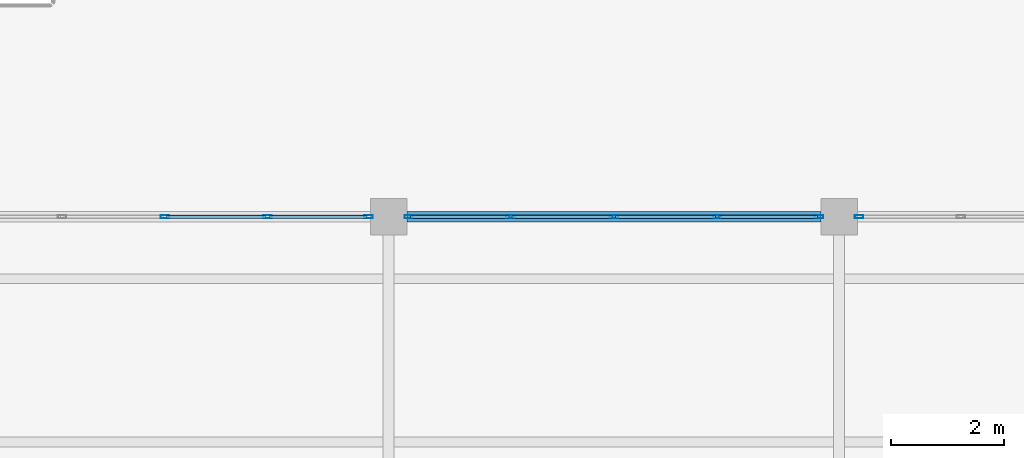
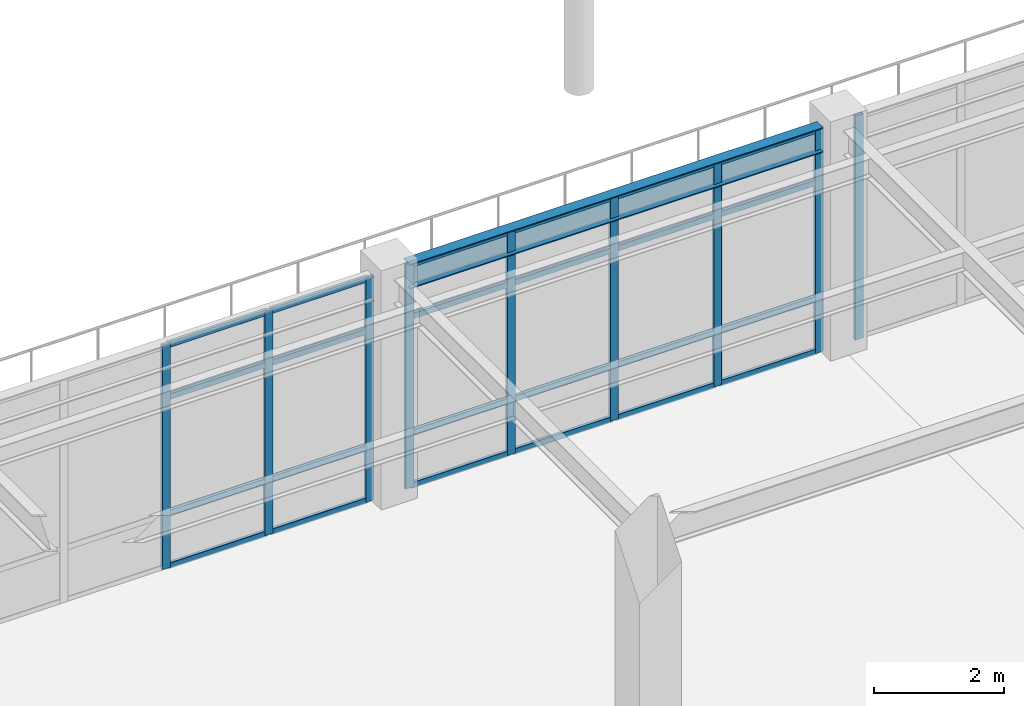
# One storey, part 23 of 78: 33 members, 1 beam, 3 elements without a shape of their own.
"""IFC4 building model written with IfcOpenShell, lengths in metres."""

from ifc_helpers import new_model, si_unit, direction, frame, origin, origin_2d, place, context, subcontext, project, spatial, hollow_rectangle, i_section, extrude, material, material_profile, profile_set, type_object, element, aggregate, save


model = new_model("IFC4")

# Units and contexts
model_context = context("Model", 3, precision=1e-05, world=origin(), true_north=direction((0.0, 1.0)))
body_context = subcontext(model_context, "Body", "Model", "MODEL_VIEW")
ifc_project = project(units=[si_unit("LENGTHUNIT", "METRE"), si_unit("AREAUNIT", "SQUARE_METRE"), si_unit("VOLUMEUNIT", "CUBIC_METRE"), si_unit("PLANEANGLEUNIT", "RADIAN"), si_unit("MASSUNIT", "GRAM", prefix="KILO")], contexts=[model_context])

# Site, building, storey
site_placement = place(None, origin())
site = spatial("IfcSite", under=ifc_project, at=site_placement, CompositionType="ELEMENT")
building_placement = place(site_placement, origin())
building = spatial("IfcBuilding", under=site, at=building_placement, Name="Solmirada Galleria", CompositionType="ELEMENT")
storey_placement = place(building_placement, frame((0.0, 0.0, 23.89990234375)))
storey = spatial("IfcBuildingStorey", under=building, at=storey_placement, Name="L05", CompositionType="ELEMENT", Elevation=23.89990234375)

# Beam
ifc_material_1 = material(Name="Steel S355 / ASTM A992 Grade 50", Category="steel")
ifc_material_profile_1 = material_profile(ifc_material_1, i_section(OverallWidth=0.193115234375, OverallDepth=0.466064453125, WebThickness=0.011474609375, FlangeThickness=0.01904296875, FilletRadius=0.013916015625, at=origin_2d()), Name="W18X65")
ifc_profile_set_1 = profile_set([ifc_material_profile_1], Name="Steel S355 / ASTM A992 Grade 50")
beam_type = type_object("IfcBeamType", Name="BM-GIRD-W18C", PredefinedType="BEAM", material=ifc_profile_set_1)
beam_placement = place(storey_placement, frame((104.324951171875, 24.0, 4.027099609375), z_axis=(1.0, 0.0, 0.0), x_axis=(0.0, 1.0, 0.0)))
element("IfcBeam", 1, at=beam_placement, inside=storey, type_object=beam_type, Name="Primary beam L06 X(104..112, 24)", PredefinedType="BEAM", context=body_context, shape_type="SweptSolid", body=[
    extrude(i_section(OverallWidth=0.193115234375, OverallDepth=0.466064453125, WebThickness=0.011474609375, FlangeThickness=0.01904296875, FilletRadius=0.013916015625, at=origin_2d()), origin(), (0.0, 0.0, 1.0), 7.35009765625),
])

# Curtain wall, members
ifc_material_2 = material(Name="Impact-resistant low-E double glazing", Category="glass")
curtain_wall_type_1 = type_object("IfcCurtainWallType", Name="CW-FZ5-L05-B4-L073", PredefinedType="NOTDEFINED", material=ifc_material_2)
curtain_wall_1_placement = place(storey_placement, origin())
curtain_wall_1 = element("IfcCurtainWall", 2, at=curtain_wall_1_placement, inside=storey, type_object=curtain_wall_type_1, Name="Terrace and arcade storefront CW-L05-181", PredefinedType="NOTDEFINED")
ifc_material_3 = material(Name="Anodised aluminium framing", Category="aluminium")
ifc_material_profile_2 = material_profile(ifc_material_3, hollow_rectangle(XDim=0.06005859375, YDim=0.14990234375, WallThickness=0.00341796875, InnerFilletRadius=0.00341796875, OuterFilletRadius=0.007080078125, at=origin_2d()), Name="ALU-MULL-150X60")
ifc_profile_set_2 = profile_set([ifc_material_profile_2], Name="Anodised aluminium framing")
member_type_1 = type_object("IfcMemberType", Name="CW-MULL-150", PredefinedType="MULLION", material=ifc_profile_set_2)
member_1_placement = place(storey_placement, frame((100.02490234375, 24.0, 0.0), z_axis=(0.0, 0.0, 1.0), x_axis=(0.0, 1.0, 0.0)))
member_1 = element("IfcMember", 3, at=member_1_placement, type_object=member_type_1, Name="CW36 mullion 3", PredefinedType="MULLION", context=body_context, shape_type="SweptSolid", body=[
    extrude(hollow_rectangle(XDim=0.06005859375, YDim=0.14990234375, WallThickness=0.00341796875, InnerFilletRadius=0.00341796875, OuterFilletRadius=0.007080078125, at=origin_2d()), origin(), (0.0, 0.0, 1.0), 4.22021484375),
])
member_2_placement = place(storey_placement, frame((101.84912109375, 24.0, 0.0), z_axis=(0.0, 0.0, 1.0), x_axis=(0.0, 1.0, 0.0)))
member_2 = element("IfcMember", 4, at=member_2_placement, type_object=member_type_1, Name="CW36 mullion 4", PredefinedType="MULLION", context=body_context, shape_type="SweptSolid", body=[
    extrude(hollow_rectangle(XDim=0.06005859375, YDim=0.14990234375, WallThickness=0.00341796875, InnerFilletRadius=0.00341796875, OuterFilletRadius=0.007080078125, at=origin_2d()), origin(), (0.0, 0.0, 1.0), 4.22021484375),
])
member_3_placement = place(storey_placement, frame((103.64306640625, 24.0, 0.0), z_axis=(0.0, 0.0, 1.0), x_axis=(0.0, 1.0, 0.0)))
member_3 = element("IfcMember", 5, at=member_3_placement, type_object=member_type_1, Name="CW36 mullion 5", PredefinedType="MULLION", context=body_context, shape_type="SweptSolid", body=[
    extrude(hollow_rectangle(XDim=0.06005859375, YDim=0.14990234375, WallThickness=0.00341796875, InnerFilletRadius=0.00341796875, OuterFilletRadius=0.007080078125, at=origin_2d()), origin(), (0.0, 0.0, 1.0), 4.22021484375),
])

curtain_wall_type_2 = type_object("IfcCurtainWallType", Name="CW-FZ5-L05-B4-L074", PredefinedType="NOTDEFINED", material=ifc_material_2)
curtain_wall_2_placement = place(storey_placement, origin())
curtain_wall_2 = element("IfcCurtainWall", 6, at=curtain_wall_2_placement, inside=storey, type_object=curtain_wall_type_2, Name="Terrace and arcade storefront CW-L05-182", PredefinedType="NOTDEFINED")
member_4_placement = place(storey_placement, frame((104.35693359375, 24.0, 0.0), z_axis=(0.0, 0.0, 1.0), x_axis=(0.0, 1.0, 0.0)))
member_4 = element("IfcMember", 7, at=member_4_placement, type_object=member_type_1, Name="CW37 mullion 1", PredefinedType="MULLION", context=body_context, shape_type="SweptSolid", body=[
    extrude(hollow_rectangle(XDim=0.06005859375, YDim=0.14990234375, WallThickness=0.00341796875, InnerFilletRadius=0.00341796875, OuterFilletRadius=0.007080078125, at=origin_2d()), origin(), (0.0, 0.0, 1.0), 4.22021484375),
])
member_5_placement = place(storey_placement, frame((106.16357421875, 24.0, 0.0), z_axis=(0.0, 0.0, 1.0), x_axis=(0.0, 1.0, 0.0)))
member_5 = element("IfcMember", 8, at=member_5_placement, type_object=member_type_1, Name="CW37 mullion 2", PredefinedType="MULLION", context=body_context, shape_type="SweptSolid", body=[
    extrude(hollow_rectangle(XDim=0.06005859375, YDim=0.14990234375, WallThickness=0.00341796875, InnerFilletRadius=0.00341796875, OuterFilletRadius=0.007080078125, at=origin_2d()), origin(), (0.0, 0.0, 1.0), 4.22021484375),
])
member_6_placement = place(storey_placement, frame((108.0, 24.0, 0.0), z_axis=(0.0, 0.0, 1.0), x_axis=(0.0, 1.0, 0.0)))
member_6 = element("IfcMember", 9, at=member_6_placement, type_object=member_type_1, Name="CW37 mullion 3", PredefinedType="MULLION", context=body_context, shape_type="SweptSolid", body=[
    extrude(hollow_rectangle(XDim=0.06005859375, YDim=0.14990234375, WallThickness=0.00341796875, InnerFilletRadius=0.00341796875, OuterFilletRadius=0.007080078125, at=origin_2d()), origin(), (0.0, 0.0, 1.0), 4.22021484375),
])
member_7_placement = place(storey_placement, frame((109.83642578125, 24.0, 0.0), z_axis=(0.0, 0.0, 1.0), x_axis=(0.0, 1.0, 0.0)))
member_7 = element("IfcMember", 10, at=member_7_placement, type_object=member_type_1, Name="CW37 mullion 4", PredefinedType="MULLION", context=body_context, shape_type="SweptSolid", body=[
    extrude(hollow_rectangle(XDim=0.06005859375, YDim=0.14990234375, WallThickness=0.00341796875, InnerFilletRadius=0.00341796875, OuterFilletRadius=0.007080078125, at=origin_2d()), origin(), (0.0, 0.0, 1.0), 4.22021484375),
])
member_8_placement = place(storey_placement, frame((111.64306640625, 24.0, 0.0), z_axis=(0.0, 0.0, 1.0), x_axis=(0.0, 1.0, 0.0)))
member_8 = element("IfcMember", 11, at=member_8_placement, type_object=member_type_1, Name="CW37 mullion 5", PredefinedType="MULLION", context=body_context, shape_type="SweptSolid", body=[
    extrude(hollow_rectangle(XDim=0.06005859375, YDim=0.14990234375, WallThickness=0.00341796875, InnerFilletRadius=0.00341796875, OuterFilletRadius=0.007080078125, at=origin_2d()), origin(), (0.0, 0.0, 1.0), 4.22021484375),
])

# Curtain wall, member
curtain_wall_3_placement = place(storey_placement, origin())
curtain_wall_3 = element("IfcCurtainWall", 12, at=curtain_wall_3_placement, inside=storey, type_object=curtain_wall_type_2, Name="Terrace and arcade storefront CW-L05-183", PredefinedType="NOTDEFINED")
member_9_placement = place(storey_placement, frame((112.35693359375, 24.0, 0.0), z_axis=(0.0, 0.0, 1.0), x_axis=(0.0, 1.0, 0.0)))
member_9 = element("IfcMember", 13, at=member_9_placement, type_object=member_type_1, Name="CW37 mullion 1", PredefinedType="MULLION", context=body_context, shape_type="SweptSolid", body=[
    extrude(hollow_rectangle(XDim=0.06005859375, YDim=0.14990234375, WallThickness=0.00341796875, InnerFilletRadius=0.00341796875, OuterFilletRadius=0.007080078125, at=origin_2d()), origin(), (0.0, 0.0, 1.0), 4.22021484375),
])
aggregate(curtain_wall_3, [member_9])

# Member
ifc_material_profile_3 = material_profile(ifc_material_3, hollow_rectangle(XDim=0.06005859375, YDim=0.110107421875, WallThickness=0.003173828125, InnerFilletRadius=0.003173828125, OuterFilletRadius=0.00634765625, at=origin_2d()), Name="ALU-TRAN-110X60")
ifc_profile_set_3 = profile_set([ifc_material_profile_3], Name="Anodised aluminium framing")
member_type_2 = type_object("IfcMemberType", Name="CW-TRAN-110", PredefinedType="USERDEFINED", material=ifc_profile_set_3)
member_10_placement = place(storey_placement, frame((100.054931640625, 24.0, 0.030029296875), z_axis=(1.0, 0.0, 0.0), x_axis=(0.0, 1.0, 0.0)))
member_10 = element("IfcMember", 14, at=member_10_placement, type_object=member_type_2, Name="CW36 transom 3.1", ObjectType="TRANSOM", PredefinedType="USERDEFINED", context=body_context, shape_type="SweptSolid", body=[
    extrude(hollow_rectangle(XDim=0.06005859375, YDim=0.110107421875, WallThickness=0.003173828125, InnerFilletRadius=0.003173828125, OuterFilletRadius=0.00634765625, at=origin_2d()), origin(), (0.0, 0.0, 1.0), 1.76416015625),
])

member_11_placement = place(storey_placement, frame((100.054931640625, 24.0, 1.02001953125), z_axis=(1.0, 0.0, 0.0), x_axis=(0.0, 1.0, 0.0)))
member_11 = element("IfcMember", 15, at=member_11_placement, type_object=member_type_2, Name="CW36 transom 3.2", ObjectType="TRANSOM", PredefinedType="USERDEFINED", context=body_context, shape_type="SweptSolid", body=[
    extrude(hollow_rectangle(XDim=0.06005859375, YDim=0.110107421875, WallThickness=0.003173828125, InnerFilletRadius=0.003173828125, OuterFilletRadius=0.00634765625, at=origin_2d()), origin(), (0.0, 0.0, 1.0), 1.76416015625),
])

member_12_placement = place(storey_placement, frame((100.054931640625, 24.0, 3.210205078125), z_axis=(1.0, 0.0, 0.0), x_axis=(0.0, 1.0, 0.0)))
member_12 = element("IfcMember", 16, at=member_12_placement, type_object=member_type_2, Name="CW36 transom 3.3", ObjectType="TRANSOM", PredefinedType="USERDEFINED", context=body_context, shape_type="SweptSolid", body=[
    extrude(hollow_rectangle(XDim=0.06005859375, YDim=0.110107421875, WallThickness=0.003173828125, InnerFilletRadius=0.003173828125, OuterFilletRadius=0.00634765625, at=origin_2d()), origin(), (0.0, 0.0, 1.0), 1.76416015625),
])

member_13_placement = place(storey_placement, frame((100.054931640625, 24.0, 4.190185546875), z_axis=(1.0, 0.0, 0.0), x_axis=(0.0, 1.0, 0.0)))
member_13 = element("IfcMember", 17, at=member_13_placement, type_object=member_type_2, Name="CW36 transom 3.4", ObjectType="TRANSOM", PredefinedType="USERDEFINED", context=body_context, shape_type="SweptSolid", body=[
    extrude(hollow_rectangle(XDim=0.06005859375, YDim=0.110107421875, WallThickness=0.003173828125, InnerFilletRadius=0.003173828125, OuterFilletRadius=0.00634765625, at=origin_2d()), origin(), (0.0, 0.0, 1.0), 1.76416015625),
])

member_14_placement = place(storey_placement, frame((101.87890625, 24.0, 0.030029296875), z_axis=(1.0, 0.0, 0.0), x_axis=(0.0, 1.0, 0.0)))
member_14 = element("IfcMember", 18, at=member_14_placement, type_object=member_type_2, Name="CW36 transom 4.1", ObjectType="TRANSOM", PredefinedType="USERDEFINED", context=body_context, shape_type="SweptSolid", body=[
    extrude(hollow_rectangle(XDim=0.06005859375, YDim=0.110107421875, WallThickness=0.003173828125, InnerFilletRadius=0.003173828125, OuterFilletRadius=0.00634765625, at=origin_2d()), origin(), (0.0, 0.0, 1.0), 1.734130859375),
])

member_15_placement = place(storey_placement, frame((101.87890625, 24.0, 1.02001953125), z_axis=(1.0, 0.0, 0.0), x_axis=(0.0, 1.0, 0.0)))
member_15 = element("IfcMember", 19, at=member_15_placement, type_object=member_type_2, Name="CW36 transom 4.2", ObjectType="TRANSOM", PredefinedType="USERDEFINED", context=body_context, shape_type="SweptSolid", body=[
    extrude(hollow_rectangle(XDim=0.06005859375, YDim=0.110107421875, WallThickness=0.003173828125, InnerFilletRadius=0.003173828125, OuterFilletRadius=0.00634765625, at=origin_2d()), origin(), (0.0, 0.0, 1.0), 1.734130859375),
])

member_16_placement = place(storey_placement, frame((101.87890625, 24.0, 3.210205078125), z_axis=(1.0, 0.0, 0.0), x_axis=(0.0, 1.0, 0.0)))
member_16 = element("IfcMember", 20, at=member_16_placement, type_object=member_type_2, Name="CW36 transom 4.3", ObjectType="TRANSOM", PredefinedType="USERDEFINED", context=body_context, shape_type="SweptSolid", body=[
    extrude(hollow_rectangle(XDim=0.06005859375, YDim=0.110107421875, WallThickness=0.003173828125, InnerFilletRadius=0.003173828125, OuterFilletRadius=0.00634765625, at=origin_2d()), origin(), (0.0, 0.0, 1.0), 1.734130859375),
])

member_17_placement = place(storey_placement, frame((101.87890625, 24.0, 4.190185546875), z_axis=(1.0, 0.0, 0.0), x_axis=(0.0, 1.0, 0.0)))
member_17 = element("IfcMember", 21, at=member_17_placement, type_object=member_type_2, Name="CW36 transom 4.4", ObjectType="TRANSOM", PredefinedType="USERDEFINED", context=body_context, shape_type="SweptSolid", body=[
    extrude(hollow_rectangle(XDim=0.06005859375, YDim=0.110107421875, WallThickness=0.003173828125, InnerFilletRadius=0.003173828125, OuterFilletRadius=0.00634765625, at=origin_2d()), origin(), (0.0, 0.0, 1.0), 1.734130859375),
])

aggregate(curtain_wall_1, [member_1, member_2, member_3, member_10, member_11, member_12, member_13, member_14, member_15, member_16, member_17])

member_18_placement = place(storey_placement, frame((104.386962890625, 24.0, 0.030029296875), z_axis=(1.0, 0.0, 0.0), x_axis=(0.0, 1.0, 0.0)))
member_18 = element("IfcMember", 22, at=member_18_placement, type_object=member_type_2, Name="CW37 transom 1.1", ObjectType="TRANSOM", PredefinedType="USERDEFINED", context=body_context, shape_type="SweptSolid", body=[
    extrude(hollow_rectangle(XDim=0.06005859375, YDim=0.110107421875, WallThickness=0.003173828125, InnerFilletRadius=0.003173828125, OuterFilletRadius=0.00634765625, at=origin_2d()), origin(), (0.0, 0.0, 1.0), 1.74658203125),
])

member_19_placement = place(storey_placement, frame((104.386962890625, 24.0, 1.02001953125), z_axis=(1.0, 0.0, 0.0), x_axis=(0.0, 1.0, 0.0)))
member_19 = element("IfcMember", 23, at=member_19_placement, type_object=member_type_2, Name="CW37 transom 1.2", ObjectType="TRANSOM", PredefinedType="USERDEFINED", context=body_context, shape_type="SweptSolid", body=[
    extrude(hollow_rectangle(XDim=0.06005859375, YDim=0.110107421875, WallThickness=0.003173828125, InnerFilletRadius=0.003173828125, OuterFilletRadius=0.00634765625, at=origin_2d()), origin(), (0.0, 0.0, 1.0), 1.74658203125),
])

member_20_placement = place(storey_placement, frame((104.386962890625, 24.0, 3.210205078125), z_axis=(1.0, 0.0, 0.0), x_axis=(0.0, 1.0, 0.0)))
member_20 = element("IfcMember", 24, at=member_20_placement, type_object=member_type_2, Name="CW37 transom 1.3", ObjectType="TRANSOM", PredefinedType="USERDEFINED", context=body_context, shape_type="SweptSolid", body=[
    extrude(hollow_rectangle(XDim=0.06005859375, YDim=0.110107421875, WallThickness=0.003173828125, InnerFilletRadius=0.003173828125, OuterFilletRadius=0.00634765625, at=origin_2d()), origin(), (0.0, 0.0, 1.0), 1.74658203125),
])

member_21_placement = place(storey_placement, frame((104.386962890625, 24.0, 4.190185546875), z_axis=(1.0, 0.0, 0.0), x_axis=(0.0, 1.0, 0.0)))
member_21 = element("IfcMember", 25, at=member_21_placement, type_object=member_type_2, Name="CW37 transom 1.4", ObjectType="TRANSOM", PredefinedType="USERDEFINED", context=body_context, shape_type="SweptSolid", body=[
    extrude(hollow_rectangle(XDim=0.06005859375, YDim=0.110107421875, WallThickness=0.003173828125, InnerFilletRadius=0.003173828125, OuterFilletRadius=0.00634765625, at=origin_2d()), origin(), (0.0, 0.0, 1.0), 1.74658203125),
])

member_22_placement = place(storey_placement, frame((106.193603515625, 24.0, 0.030029296875), z_axis=(1.0, 0.0, 0.0), x_axis=(0.0, 1.0, 0.0)))
member_22 = element("IfcMember", 26, at=member_22_placement, type_object=member_type_2, Name="CW37 transom 2.1", ObjectType="TRANSOM", PredefinedType="USERDEFINED", context=body_context, shape_type="SweptSolid", body=[
    extrude(hollow_rectangle(XDim=0.06005859375, YDim=0.110107421875, WallThickness=0.003173828125, InnerFilletRadius=0.003173828125, OuterFilletRadius=0.00634765625, at=origin_2d()), origin(), (0.0, 0.0, 1.0), 1.7763671875),
])

member_23_placement = place(storey_placement, frame((106.193603515625, 24.0, 1.02001953125), z_axis=(1.0, 0.0, 0.0), x_axis=(0.0, 1.0, 0.0)))
member_23 = element("IfcMember", 27, at=member_23_placement, type_object=member_type_2, Name="CW37 transom 2.2", ObjectType="TRANSOM", PredefinedType="USERDEFINED", context=body_context, shape_type="SweptSolid", body=[
    extrude(hollow_rectangle(XDim=0.06005859375, YDim=0.110107421875, WallThickness=0.003173828125, InnerFilletRadius=0.003173828125, OuterFilletRadius=0.00634765625, at=origin_2d()), origin(), (0.0, 0.0, 1.0), 1.7763671875),
])

member_24_placement = place(storey_placement, frame((106.193603515625, 24.0, 3.210205078125), z_axis=(1.0, 0.0, 0.0), x_axis=(0.0, 1.0, 0.0)))
member_24 = element("IfcMember", 28, at=member_24_placement, type_object=member_type_2, Name="CW37 transom 2.3", ObjectType="TRANSOM", PredefinedType="USERDEFINED", context=body_context, shape_type="SweptSolid", body=[
    extrude(hollow_rectangle(XDim=0.06005859375, YDim=0.110107421875, WallThickness=0.003173828125, InnerFilletRadius=0.003173828125, OuterFilletRadius=0.00634765625, at=origin_2d()), origin(), (0.0, 0.0, 1.0), 1.7763671875),
])

member_25_placement = place(storey_placement, frame((106.193603515625, 24.0, 4.190185546875), z_axis=(1.0, 0.0, 0.0), x_axis=(0.0, 1.0, 0.0)))
member_25 = element("IfcMember", 29, at=member_25_placement, type_object=member_type_2, Name="CW37 transom 2.4", ObjectType="TRANSOM", PredefinedType="USERDEFINED", context=body_context, shape_type="SweptSolid", body=[
    extrude(hollow_rectangle(XDim=0.06005859375, YDim=0.110107421875, WallThickness=0.003173828125, InnerFilletRadius=0.003173828125, OuterFilletRadius=0.00634765625, at=origin_2d()), origin(), (0.0, 0.0, 1.0), 1.7763671875),
])

member_26_placement = place(storey_placement, frame((108.030029296875, 24.0, 0.030029296875), z_axis=(1.0, 0.0, 0.0), x_axis=(0.0, 1.0, 0.0)))
member_26 = element("IfcMember", 30, at=member_26_placement, type_object=member_type_2, Name="CW37 transom 3.1", ObjectType="TRANSOM", PredefinedType="USERDEFINED", context=body_context, shape_type="SweptSolid", body=[
    extrude(hollow_rectangle(XDim=0.06005859375, YDim=0.110107421875, WallThickness=0.003173828125, InnerFilletRadius=0.003173828125, OuterFilletRadius=0.00634765625, at=origin_2d()), origin(), (0.0, 0.0, 1.0), 1.7763671875),
])

member_27_placement = place(storey_placement, frame((108.030029296875, 24.0, 1.02001953125), z_axis=(1.0, 0.0, 0.0), x_axis=(0.0, 1.0, 0.0)))
member_27 = element("IfcMember", 31, at=member_27_placement, type_object=member_type_2, Name="CW37 transom 3.2", ObjectType="TRANSOM", PredefinedType="USERDEFINED", context=body_context, shape_type="SweptSolid", body=[
    extrude(hollow_rectangle(XDim=0.06005859375, YDim=0.110107421875, WallThickness=0.003173828125, InnerFilletRadius=0.003173828125, OuterFilletRadius=0.00634765625, at=origin_2d()), origin(), (0.0, 0.0, 1.0), 1.7763671875),
])

member_28_placement = place(storey_placement, frame((108.030029296875, 24.0, 3.210205078125), z_axis=(1.0, 0.0, 0.0), x_axis=(0.0, 1.0, 0.0)))
member_28 = element("IfcMember", 32, at=member_28_placement, type_object=member_type_2, Name="CW37 transom 3.3", ObjectType="TRANSOM", PredefinedType="USERDEFINED", context=body_context, shape_type="SweptSolid", body=[
    extrude(hollow_rectangle(XDim=0.06005859375, YDim=0.110107421875, WallThickness=0.003173828125, InnerFilletRadius=0.003173828125, OuterFilletRadius=0.00634765625, at=origin_2d()), origin(), (0.0, 0.0, 1.0), 1.7763671875),
])

member_29_placement = place(storey_placement, frame((108.030029296875, 24.0, 4.190185546875), z_axis=(1.0, 0.0, 0.0), x_axis=(0.0, 1.0, 0.0)))
member_29 = element("IfcMember", 33, at=member_29_placement, type_object=member_type_2, Name="CW37 transom 3.4", ObjectType="TRANSOM", PredefinedType="USERDEFINED", context=body_context, shape_type="SweptSolid", body=[
    extrude(hollow_rectangle(XDim=0.06005859375, YDim=0.110107421875, WallThickness=0.003173828125, InnerFilletRadius=0.003173828125, OuterFilletRadius=0.00634765625, at=origin_2d()), origin(), (0.0, 0.0, 1.0), 1.7763671875),
])

member_30_placement = place(storey_placement, frame((109.866455078125, 24.0, 0.030029296875), z_axis=(1.0, 0.0, 0.0), x_axis=(0.0, 1.0, 0.0)))
member_30 = element("IfcMember", 34, at=member_30_placement, type_object=member_type_2, Name="CW37 transom 4.1", ObjectType="TRANSOM", PredefinedType="USERDEFINED", context=body_context, shape_type="SweptSolid", body=[
    extrude(hollow_rectangle(XDim=0.06005859375, YDim=0.110107421875, WallThickness=0.003173828125, InnerFilletRadius=0.003173828125, OuterFilletRadius=0.00634765625, at=origin_2d()), origin(), (0.0, 0.0, 1.0), 1.74658203125),
])

member_31_placement = place(storey_placement, frame((109.866455078125, 24.0, 1.02001953125), z_axis=(1.0, 0.0, 0.0), x_axis=(0.0, 1.0, 0.0)))
member_31 = element("IfcMember", 35, at=member_31_placement, type_object=member_type_2, Name="CW37 transom 4.2", ObjectType="TRANSOM", PredefinedType="USERDEFINED", context=body_context, shape_type="SweptSolid", body=[
    extrude(hollow_rectangle(XDim=0.06005859375, YDim=0.110107421875, WallThickness=0.003173828125, InnerFilletRadius=0.003173828125, OuterFilletRadius=0.00634765625, at=origin_2d()), origin(), (0.0, 0.0, 1.0), 1.74658203125),
])

member_32_placement = place(storey_placement, frame((109.866455078125, 24.0, 3.210205078125), z_axis=(1.0, 0.0, 0.0), x_axis=(0.0, 1.0, 0.0)))
member_32 = element("IfcMember", 36, at=member_32_placement, type_object=member_type_2, Name="CW37 transom 4.3", ObjectType="TRANSOM", PredefinedType="USERDEFINED", context=body_context, shape_type="SweptSolid", body=[
    extrude(hollow_rectangle(XDim=0.06005859375, YDim=0.110107421875, WallThickness=0.003173828125, InnerFilletRadius=0.003173828125, OuterFilletRadius=0.00634765625, at=origin_2d()), origin(), (0.0, 0.0, 1.0), 1.74658203125),
])

member_33_placement = place(storey_placement, frame((109.866455078125, 24.0, 4.190185546875), z_axis=(1.0, 0.0, 0.0), x_axis=(0.0, 1.0, 0.0)))
member_33 = element("IfcMember", 37, at=member_33_placement, type_object=member_type_2, Name="CW37 transom 4.4", ObjectType="TRANSOM", PredefinedType="USERDEFINED", context=body_context, shape_type="SweptSolid", body=[
    extrude(hollow_rectangle(XDim=0.06005859375, YDim=0.110107421875, WallThickness=0.003173828125, InnerFilletRadius=0.003173828125, OuterFilletRadius=0.00634765625, at=origin_2d()), origin(), (0.0, 0.0, 1.0), 1.74658203125),
])

aggregate(curtain_wall_2, [member_4, member_5, member_6, member_7, member_8, member_18, member_19, member_20, member_21, member_22, member_23, member_24, member_25, member_26, member_27, member_28, member_29, member_30, member_31, member_32, member_33])

save(model, "model.ifc")
